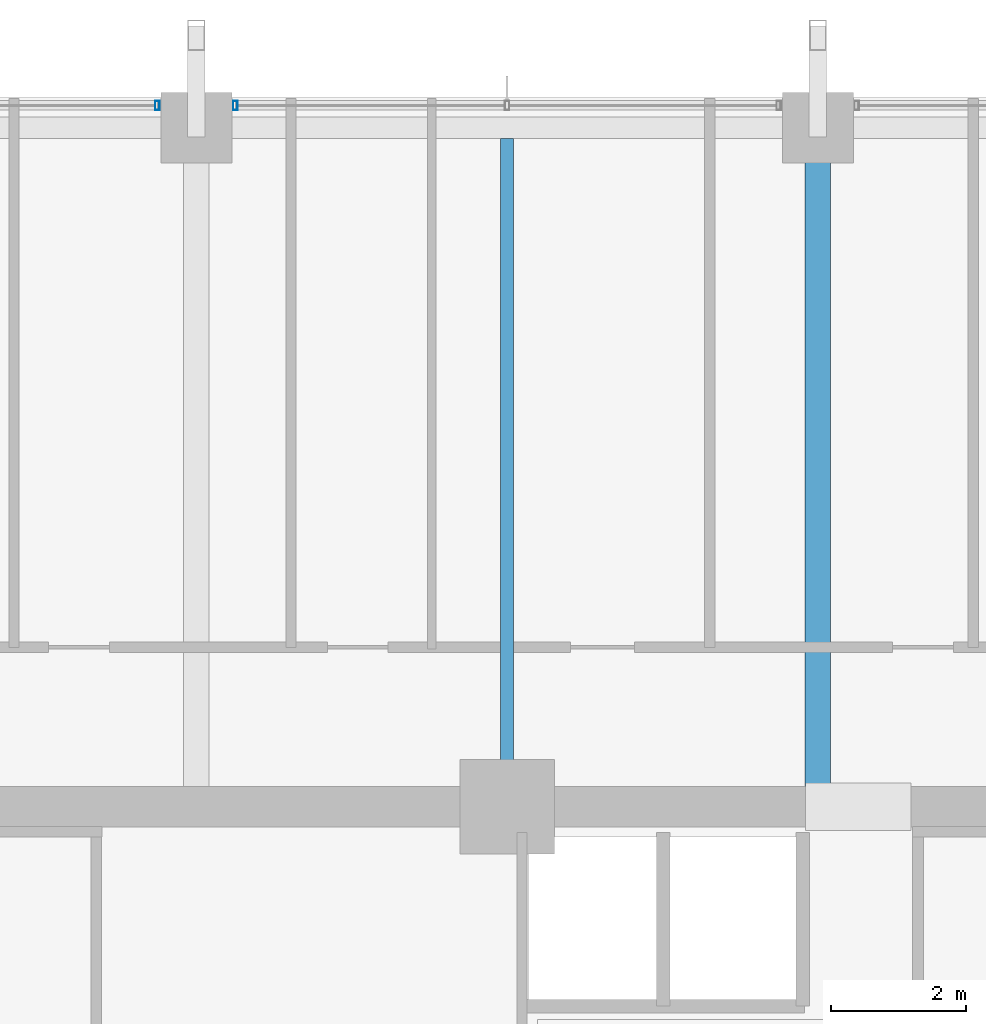
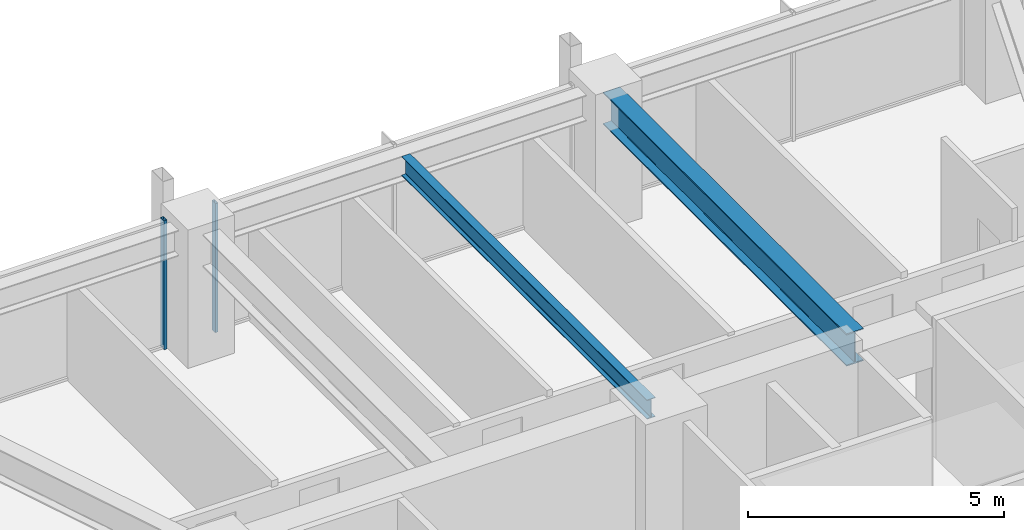
# One storey, part 20 of 37: 2 beams, 2 members, 2 elements without a shape of their own.
"""IFC4 building model written with IfcOpenShell, lengths in metres."""

from ifc_helpers import new_model, si_unit, direction, frame, origin, origin_2d, place, context, subcontext, project, spatial, hollow_rectangle, i_section, extrude, material, material_profile, profile_set, type_object, element, aggregate, save


model = new_model("IFC4")

# Units and contexts
model_context = context("Model", 3, precision=1e-05, world=origin(), true_north=direction((0.0, 1.0)))
body_context = subcontext(model_context, "Body", "Model", "MODEL_VIEW")
ifc_project = project(units=[si_unit("LENGTHUNIT", "METRE"), si_unit("AREAUNIT", "SQUARE_METRE"), si_unit("VOLUMEUNIT", "CUBIC_METRE"), si_unit("PLANEANGLEUNIT", "RADIAN"), si_unit("MASSUNIT", "GRAM", prefix="KILO")], contexts=[model_context])

# Site, building, storey
site_placement = place(None, origin())
site = spatial("IfcSite", under=ifc_project, at=site_placement, CompositionType="ELEMENT")
building_placement = place(site_placement, origin())
building = spatial("IfcBuilding", under=site, at=building_placement, Name="Kolvaren Belvedere", CompositionType="ELEMENT")
storey_placement = place(building_placement, frame((0.0, 0.0, 75.5)))
storey = spatial("IfcBuildingStorey", under=building, at=storey_placement, Name="L21", CompositionType="ELEMENT", Elevation=75.5)

# Beams
ifc_material_1 = material(Name="Structural steel ASTM A992 Grade 50", Category="steel")
ifc_material_profile_1 = material_profile(ifc_material_1, i_section(OverallWidth=0.381103515625, OverallDepth=0.77294921875, WebThickness=0.0166015625, FlangeThickness=0.027099609375, FilletRadius=0.02392578125, at=origin_2d()), Name="W30X173")
ifc_profile_set_1 = profile_set([ifc_material_profile_1], Name="Structural steel ASTM A992 Grade 50")
beam_type_1 = type_object("IfcBeamType", Name="BM-GIRD-W30X173", PredefinedType="BEAM", material=ifc_profile_set_1)
beam_1_placement = place(storey_placement, frame((4.60009765625, 10.199951171875, 2.693603515625), z_axis=(0.0, 1.0, 0.0), x_axis=(-1.0, 0.0, 0.0)))
element("IfcBeam", 1, at=beam_1_placement, inside=storey, type_object=beam_type_1, Name="L21 North Radial Girder P", PredefinedType="BEAM", context=body_context, shape_type="SweptSolid", body=[
    extrude(i_section(OverallWidth=0.381103515625, OverallDepth=0.77294921875, WebThickness=0.0166015625, FlangeThickness=0.027099609375, FilletRadius=0.02392578125, at=origin_2d()), origin(), (0.0, 0.0, 1.0), 9.513916015625),
])
ifc_material_2 = material(Name="Structural steel ASTM A992 Grade 50", Category="steel")
ifc_material_profile_2 = material_profile(ifc_material_2, i_section(OverallWidth=0.19091796875, OverallDepth=0.4599609375, WebThickness=0.010009765625, FlangeThickness=0.01611328125, FilletRadius=0.014892578125, at=origin_2d()), Name="W18X55")
ifc_profile_set_2 = profile_set([ifc_material_profile_2], Name="Structural steel ASTM A992 Grade 50")
beam_type_2 = type_object("IfcBeamType", Name="BM-JOIST-W18X55", PredefinedType="BEAM", material=ifc_profile_set_2)
beam_2_placement = place(storey_placement, frame((0.0, 10.199951171875, 2.85009765625), z_axis=(0.0, 1.0, 0.0), x_axis=(-1.0, 0.0, 0.0)))
element("IfcBeam", 2, at=beam_2_placement, inside=storey, type_object=beam_type_2, Name="L21 North Centre Floor Beam", PredefinedType="BEAM", context=body_context, shape_type="SweptSolid", body=[
    extrude(i_section(OverallWidth=0.19091796875, OverallDepth=0.4599609375, WebThickness=0.010009765625, FlangeThickness=0.01611328125, FilletRadius=0.014892578125, at=origin_2d()), origin(), (0.0, 0.0, 1.0), 9.587646484375),
])

# Curtain wall, member
ifc_material_3 = material(Name="Anodised pale-metal aluminium AA 6063-T6", Category="aluminium")
curtain_wall_type = type_object("IfcCurtainWallType", Name="CW-Z2-MID", PredefinedType="NOTDEFINED", material=ifc_material_3)
curtain_wall_1_placement = place(storey_placement, origin())
curtain_wall_1 = element("IfcCurtainWall", 3, at=curtain_wall_1_placement, inside=storey, type_object=curtain_wall_type, Name="L21 Unitised Curtain Wall FCW-L21-N-B1", PredefinedType="NOTDEFINED")
ifc_material_4 = material(Name="Anodised pale-metal aluminium AA 6063-T6", Category="aluminium")
ifc_material_profile_3 = material_profile(ifc_material_4, hollow_rectangle(XDim=0.06494140625, YDim=0.139892578125, WallThickness=0.00390625, at=origin_2d()), Name="ALU-MUL-140X65")
ifc_profile_set_3 = profile_set([ifc_material_profile_3], Name="Anodised pale-metal aluminium AA 6063-T6")
member_type = type_object("IfcMemberType", Name="CW-MUL-140", PredefinedType="MULLION", material=ifc_profile_set_3)
member_1_placement = place(storey_placement, frame((-5.177490234375, 20.280029296875, 0.0), z_axis=(0.0, 0.0, 1.0), x_axis=(1.0, 0.0, 0.0)))
member_1 = element("IfcMember", 4, at=member_1_placement, type_object=member_type, Name="FCW-L21-N-B1 Unitised Mullion 3", PredefinedType="MULLION", context=body_context, shape_type="SweptSolid", body=[
    extrude(hollow_rectangle(XDim=0.06494140625, YDim=0.139892578125, WallThickness=0.00390625, at=origin_2d()), origin(), (0.0, 0.0, 1.0), 3.080078125),
])
aggregate(curtain_wall_1, [member_1])

curtain_wall_2_placement = place(storey_placement, origin())
curtain_wall_2 = element("IfcCurtainWall", 5, at=curtain_wall_2_placement, inside=storey, type_object=curtain_wall_type, Name="L21 Unitised Curtain Wall FCW-L21-N-B2", PredefinedType="NOTDEFINED")
member_2_placement = place(storey_placement, frame((-4.0224609375, 20.280029296875, 0.0), z_axis=(0.0, 0.0, 1.0), x_axis=(1.0, 0.0, 0.0)))
member_2 = element("IfcMember", 6, at=member_2_placement, type_object=member_type, Name="FCW-L21-N-B2 Unitised Mullion 1", PredefinedType="MULLION", context=body_context, shape_type="SweptSolid", body=[
    extrude(hollow_rectangle(XDim=0.06494140625, YDim=0.139892578125, WallThickness=0.00390625, at=origin_2d()), origin(), (0.0, 0.0, 1.0), 3.080078125),
])
aggregate(curtain_wall_2, [member_2])

save(model, "model.ifc")
